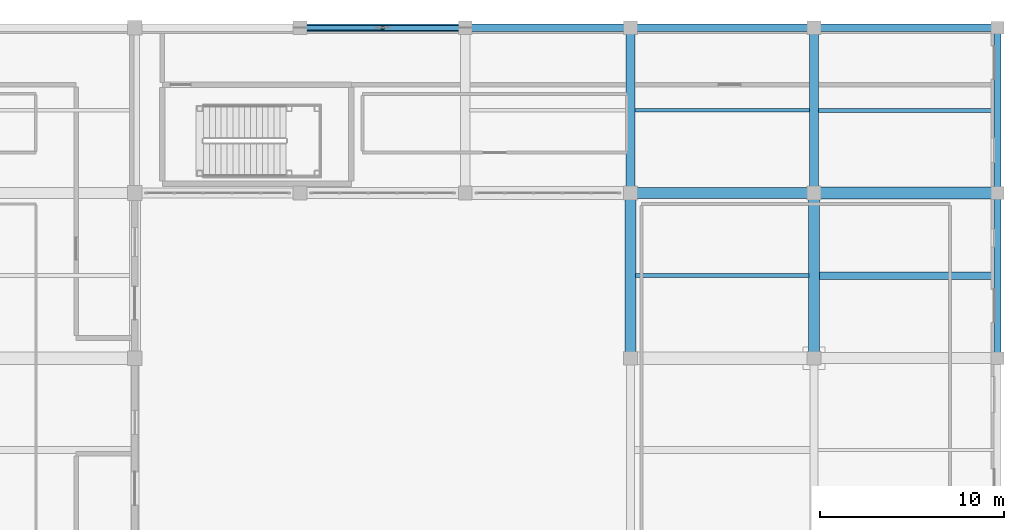
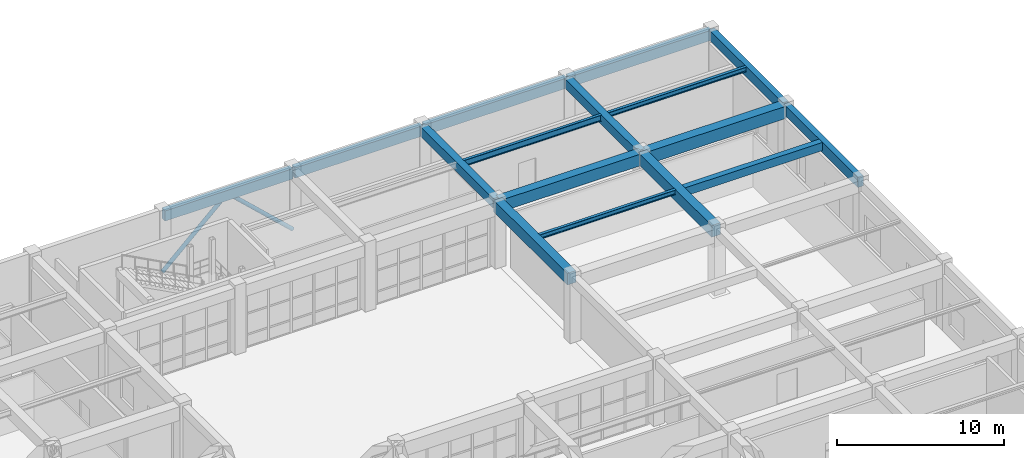
# One storey, part 83 of 128: 16 beams, 2 members.
"""IFC4 building model written with IfcOpenShell, lengths in metres."""

from ifc_helpers import new_model, si_unit, direction, frame, origin, origin_2d, place, context, subcontext, project, spatial, rectangle, hollow_circle, i_section, extrude, material, material_profile, profile_set, type_object, element, save


model = new_model("IFC4")

# Units and contexts
model_context = context("Model", 3, precision=1e-05, world=origin(), true_north=direction((0.0, 1.0)))
body_context = subcontext(model_context, "Body", "Model", "MODEL_VIEW")
ifc_project = project(units=[si_unit("LENGTHUNIT", "METRE"), si_unit("AREAUNIT", "SQUARE_METRE"), si_unit("VOLUMEUNIT", "CUBIC_METRE"), si_unit("PLANEANGLEUNIT", "RADIAN"), si_unit("MASSUNIT", "GRAM", prefix="KILO")], contexts=[model_context])

# Site, building, storey
site_placement = place(None, origin())
site = spatial("IfcSite", under=ifc_project, at=site_placement, CompositionType="ELEMENT")
building_placement = place(site_placement, origin())
building = spatial("IfcBuilding", under=site, at=building_placement, Name="Miravela Opera House", CompositionType="ELEMENT")
storey_placement = place(building_placement, origin())
storey = spatial("IfcBuildingStorey", under=building, at=storey_placement, Name="L00", CompositionType="ELEMENT", Elevation=0.0)

# Beams
ifc_material_1 = material(Name="Concrete C35/45", Category="concrete")
ifc_material_profile_1 = material_profile(ifc_material_1, rectangle(XDim=0.39990234375, YDim=0.60009765625, at=origin_2d()), Name="RC-BM-400X600")
ifc_profile_set_1 = profile_set([ifc_material_profile_1])
beam_type_1 = type_object("IfcBeamType", Name="STR-BM-RC400X600", PredefinedType="JOIST", material=ifc_profile_set_1)
beam_1_placement = place(storey_placement, frame((154.284912109375, 98.5, 4.550048828125), z_axis=(1.0, 0.0, 0.0), x_axis=(0.0, 1.0, 0.0)))
element("IfcBeam", 1, at=beam_1_placement, inside=storey, type_object=beam_type_1, Name="Secondary Floor Joist L00 18-19/K-L", PredefinedType="JOIST", context=body_context, shape_type="SweptSolid", body=[
    extrude(rectangle(XDim=0.39990234375, YDim=0.60009765625, at=origin_2d()), origin(), (0.0, 0.0, 1.0), 9.530029296875),
])
ifc_material_profile_2 = material_profile(ifc_material_1, rectangle(XDim=0.5, YDim=0.699951171875, at=origin_2d()), Name="RC-BM-500X700")
ifc_profile_set_2 = profile_set([ifc_material_profile_2])
beam_type_2 = type_object("IfcBeamType", Name="STR-BM-RC500X700", PredefinedType="BEAM", material=ifc_profile_set_2)
for number, where, z_axis, x_axis, name in (
    (2, (144.0, 103.080078125, 4.5), (0.0, 1.0, 0.0), (-1.0, 0.0, 0.0), "Floor Girder L00 17/L-M"),
    (3, (154.0, 103.080078125, 4.5), (0.0, 1.0, 0.0), (-1.0, 0.0, 0.0), "Floor Girder L00 18/L-M"),
):
    element("IfcBeam", number, at=place(storey_placement, frame(where, z_axis=z_axis, x_axis=x_axis)), inside=storey, type_object=beam_type_2, Name=name, PredefinedType="BEAM", context=body_context, shape_type="SweptSolid", body=[
        extrude(rectangle(XDim=0.5, YDim=0.699951171875, at=origin_2d()), origin(), (0.0, 0.0, 1.0), 8.83984375),
    ])
ifc_material_2 = material(Name="Concrete C40/50", Category="concrete")
ifc_material_profile_3 = material_profile(ifc_material_2, rectangle(XDim=0.60009765625, YDim=0.85009765625, at=origin_2d()), Name="RC-BM-600X850")
ifc_profile_set_3 = profile_set([ifc_material_profile_3])
beam_type_3 = type_object("IfcBeamType", Name="STR-BM-RC600X850", PredefinedType="BEAM", material=ifc_profile_set_3)
beam_2_placement = place(storey_placement, frame((144.080078125, 103.0, 4.425048828125), z_axis=(1.0, 0.0, 0.0), x_axis=(0.0, 1.0, 0.0)))
element("IfcBeam", 4, at=beam_2_placement, inside=storey, type_object=beam_type_3, Name="Floor Girder L00 17-18/L", PredefinedType="BEAM", context=body_context, shape_type="SweptSolid", body=[
    extrude(rectangle(XDim=0.60009765625, YDim=0.85009765625, at=origin_2d()), origin(), (0.0, 0.0, 1.0), 9.83984375),
])
for number, where, z_axis, x_axis, name in (
    (5, (144.0, 94.080078125, 4.425048828125), (0.0, 1.0, 0.0), (-1.0, 0.0, 0.0), "Floor Girder L00 17/K-L"),
    (6, (154.0, 94.080078125, 4.425048828125), (0.0, 1.0, 0.0), (-1.0, 0.0, 0.0), "Floor Girder L00 18/K-L"),
):
    element("IfcBeam", number, at=place(storey_placement, frame(where, z_axis=z_axis, x_axis=x_axis)), inside=storey, type_object=beam_type_3, Name=name, PredefinedType="BEAM", context=body_context, shape_type="SweptSolid", body=[
        extrude(rectangle(XDim=0.60009765625, YDim=0.85009765625, at=origin_2d()), origin(), (0.0, 0.0, 1.0), 8.83984375),
    ])
ifc_material_profile_4 = material_profile(ifc_material_2, rectangle(XDim=0.64990234375, YDim=0.89990234375, at=origin_2d()), Name="RC-BM-650X900")
ifc_profile_set_4 = profile_set([ifc_material_profile_4])
beam_type_4 = type_object("IfcBeamType", Name="STR-BM-RC650X900", PredefinedType="BEAM", material=ifc_profile_set_4)
beam_3_placement = place(storey_placement, frame((154.080078125, 103.0, 4.39990234375), z_axis=(1.0, 0.0, 0.0), x_axis=(0.0, 1.0, 0.0)))
element("IfcBeam", 7, at=beam_3_placement, inside=storey, type_object=beam_type_4, Name="Floor Girder L00 18-19/L", PredefinedType="BEAM", context=body_context, shape_type="SweptSolid", body=[
    extrude(rectangle(XDim=0.64990234375, YDim=0.89990234375, at=origin_2d()), origin(), (0.0, 0.0, 1.0), 9.83984375),
])
ifc_material_3 = material(Name="Structural steel ASTM A992 Gr. 50", Category="steel")
ifc_material_profile_5 = material_profile(ifc_material_3, i_section(OverallWidth=0.2041015625, OverallDepth=0.35009765625, WebThickness=0.008544921875, FlangeThickness=0.01513671875, FilletRadius=0.013916015625, at=origin_2d()), Name="W360X72")
ifc_profile_set_5 = profile_set([ifc_material_profile_5])
beam_type_5 = type_object("IfcBeamType", Name="STR-BM-W360X72", PredefinedType="JOIST", material=ifc_profile_set_5)
beam_4_placement = place(storey_placement, frame((144.284912109375, 98.5, 4.675048828125), z_axis=(1.0, 0.0, 0.0), x_axis=(0.0, 1.0, 0.0)))
element("IfcBeam", 8, at=beam_4_placement, inside=storey, type_object=beam_type_5, Name="Secondary Floor Joist L00 17-18/K-L", PredefinedType="JOIST", context=body_context, shape_type="SweptSolid", body=[
    extrude(i_section(OverallWidth=0.2041015625, OverallDepth=0.35009765625, WebThickness=0.008544921875, FlangeThickness=0.01513671875, FilletRadius=0.013916015625, at=origin_2d()), origin(), (0.0, 0.0, 1.0), 9.43017578125),
])
beam_5_placement = place(storey_placement, frame((154.235107421875, 107.5, 4.675048828125), z_axis=(1.0, 0.0, 0.0), x_axis=(0.0, 1.0, 0.0)))
element("IfcBeam", 9, at=beam_5_placement, inside=storey, type_object=beam_type_5, Name="Secondary Floor Joist L00 18-19/L-M", PredefinedType="JOIST", context=body_context, shape_type="SweptSolid", body=[
    extrude(i_section(OverallWidth=0.2041015625, OverallDepth=0.35009765625, WebThickness=0.008544921875, FlangeThickness=0.01513671875, FilletRadius=0.013916015625, at=origin_2d()), origin(), (0.0, 0.0, 1.0), 9.579833984375),
])
ifc_material_profile_6 = material_profile(ifc_material_3, i_section(OverallWidth=0.19091796875, OverallDepth=0.4599609375, WebThickness=0.010009765625, FlangeThickness=0.01611328125, FilletRadius=0.014892578125, at=origin_2d()), Name="W460X82")
ifc_profile_set_6 = profile_set([ifc_material_profile_6])
beam_type_6 = type_object("IfcBeamType", Name="STR-BM-W460X82", PredefinedType="JOIST", material=ifc_profile_set_6)
beam_6_placement = place(storey_placement, frame((144.235107421875, 107.5, 4.6201171875), z_axis=(1.0, 0.0, 0.0), x_axis=(0.0, 1.0, 0.0)))
element("IfcBeam", 10, at=beam_6_placement, inside=storey, type_object=beam_type_6, Name="Secondary Floor Joist L00 17-18/L-M", PredefinedType="JOIST", context=body_context, shape_type="SweptSolid", body=[
    extrude(i_section(OverallWidth=0.19091796875, OverallDepth=0.4599609375, WebThickness=0.010009765625, FlangeThickness=0.01611328125, FilletRadius=0.014892578125, at=origin_2d()), origin(), (0.0, 0.0, 1.0), 9.52978515625),
])

# Members
ifc_material_4 = material(Name="Hollow structural steel ASTM A500 Gr. C", Category="steel")
ifc_material_profile_7 = material_profile(ifc_material_4, hollow_circle(Radius=0.136474609375, WallThickness=0.010009765625, at=origin_2d()), Name="CHS273X10")
ifc_profile_set_7 = profile_set([ifc_material_profile_7])
member_type = type_object("IfcMemberType", Name="STR-MEM-FRAME-BR2", PredefinedType="BRACE", material=ifc_profile_set_7)
for number, where, z_axis, x_axis, name in (
    (11, (126.0, 112.0, 0.300048828125), (0.73105922506, 0.0, 0.682314010889), (0.0, 1.0, 0.0), "Concentric Braced Frame BF-N3 L00 Left Brace"),
    (12, (135.0, 112.0, 0.300048828125), (-0.73105922506, 0.0, 0.682314010889), (0.0, -1.0, 0.0), "Concentric Braced Frame BF-N3 L00 Right Brace"),
):
    element("IfcMember", number, at=place(storey_placement, frame(where, z_axis=z_axis, x_axis=x_axis)), inside=storey, type_object=member_type, Name=name, PredefinedType="BRACE", context=body_context, shape_type="SweptSolid", body=[
        extrude(hollow_circle(Radius=0.136474609375, WallThickness=0.010009765625, at=origin_2d()), origin(), (0.0, 0.0, 1.0), 6.155517578125),
    ])

# Beams
ifc_material_profile_8 = material_profile(ifc_material_1, rectangle(XDim=0.39990234375, YDim=0.75, at=origin_2d()), Name="RC-SPN-400X750")
ifc_profile_set_8 = profile_set([ifc_material_profile_8])
beam_type_7 = type_object("IfcBeamType", Name="STR-SPN-RC400X750", PredefinedType="SPANDREL", material=ifc_profile_set_8)
for number, where, z_axis, x_axis, name in (
    (13, (126.080078125, 112.0, 4.47509765625), (1.0, 0.0, 0.0), (0.0, 1.0, 0.0), "Floor Girder L00 15-16/M"),
    (14, (135.080078125, 112.0, 4.47509765625), (1.0, 0.0, 0.0), (0.0, 1.0, 0.0), "Floor Girder L00 16-17/M"),
):
    element("IfcBeam", number, at=place(storey_placement, frame(where, z_axis=z_axis, x_axis=x_axis)), inside=storey, type_object=beam_type_7, Name=name, PredefinedType="SPANDREL", context=body_context, shape_type="SweptSolid", body=[
        extrude(rectangle(XDim=0.39990234375, YDim=0.75, at=origin_2d()), origin(), (0.0, 0.0, 1.0), 8.83984375),
    ])
for number, where, z_axis, x_axis, name in (
    (15, (144.080078125, 112.0, 4.47509765625), (1.0, 0.0, 0.0), (0.0, 1.0, 0.0), "Floor Girder L00 17-18/M"),
    (16, (154.080078125, 112.0, 4.47509765625), (1.0, 0.0, 0.0), (0.0, 1.0, 0.0), "Floor Girder L00 18-19/M"),
):
    element("IfcBeam", number, at=place(storey_placement, frame(where, z_axis=z_axis, x_axis=x_axis)), inside=storey, type_object=beam_type_7, Name=name, PredefinedType="SPANDREL", context=body_context, shape_type="SweptSolid", body=[
        extrude(rectangle(XDim=0.39990234375, YDim=0.75, at=origin_2d()), origin(), (0.0, 0.0, 1.0), 9.83984375),
    ])
for number, where, z_axis, x_axis, name in (
    (17, (164.0, 94.080078125, 4.47509765625), (0.0, 1.0, 0.0), (-1.0, 0.0, 0.0), "Floor Girder L00 19/K-L"),
    (18, (164.0, 103.080078125, 4.47509765625), (0.0, 1.0, 0.0), (-1.0, 0.0, 0.0), "Floor Girder L00 19/L-M"),
):
    element("IfcBeam", number, at=place(storey_placement, frame(where, z_axis=z_axis, x_axis=x_axis)), inside=storey, type_object=beam_type_7, Name=name, PredefinedType="SPANDREL", context=body_context, shape_type="SweptSolid", body=[
        extrude(rectangle(XDim=0.39990234375, YDim=0.75, at=origin_2d()), origin(), (0.0, 0.0, 1.0), 8.83984375),
    ])

save(model, "model.ifc")
